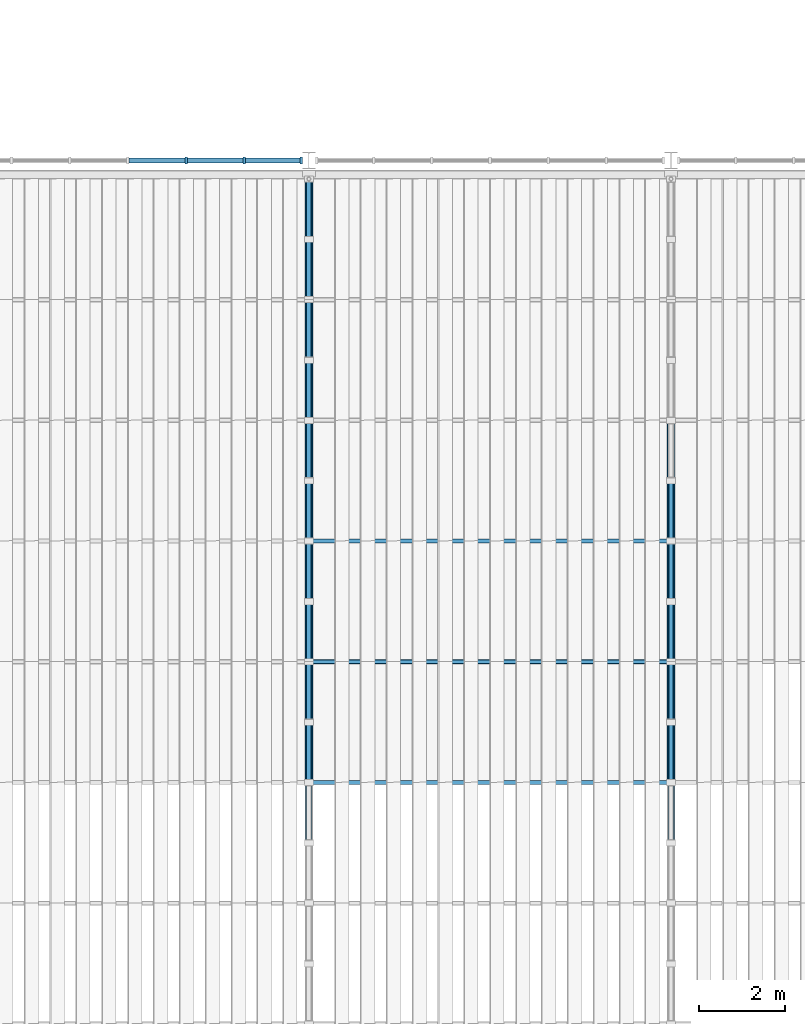
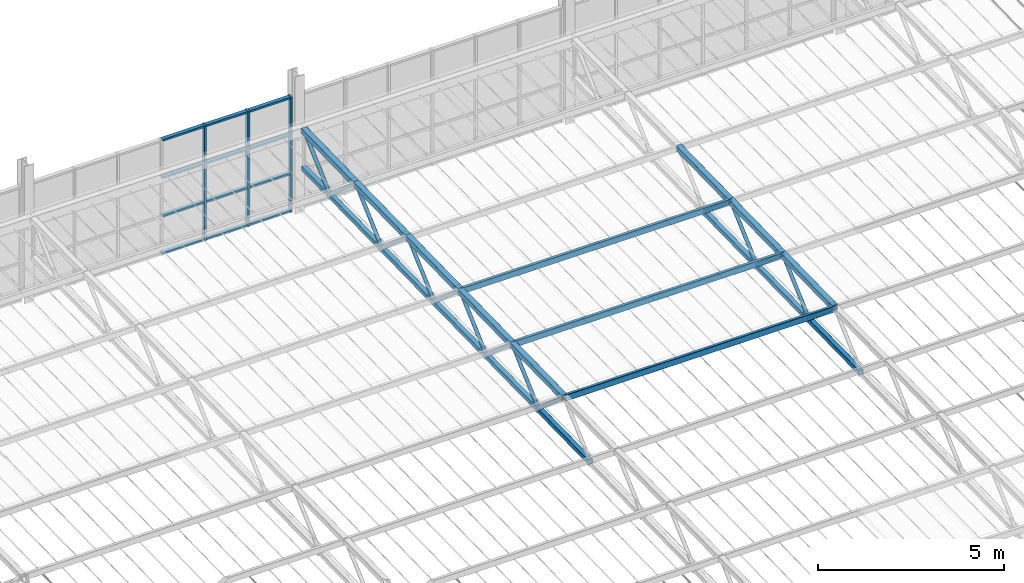
# One storey, part 30 of 129: 50 members, 1 element without a shape of its own.
"""IFC4 building model written with IfcOpenShell, lengths in metres."""

from ifc_helpers import new_model, si_unit, direction, frame, origin, origin_2d, place, context, subcontext, project, spatial, rectangle, hollow_rectangle, hollow_circle, extrude, material, layer, layer_set, material_profile, profile_set, type_object, element, aggregate, save


model = new_model("IFC4")

# Units and contexts
model_context = context("Model", 3, precision=1e-05, world=origin(), true_north=direction((0.0, 1.0)))
body_context = subcontext(model_context, "Body", "Model", "MODEL_VIEW")
ifc_project = project(units=[si_unit("LENGTHUNIT", "METRE"), si_unit("AREAUNIT", "SQUARE_METRE"), si_unit("VOLUMEUNIT", "CUBIC_METRE"), si_unit("PLANEANGLEUNIT", "RADIAN"), si_unit("MASSUNIT", "GRAM", prefix="KILO")], contexts=[model_context])

# Site, building, storey
site_placement = place(None, origin())
site = spatial("IfcSite", under=ifc_project, at=site_placement, CompositionType="ELEMENT")
building_placement = place(site_placement, origin())
building = spatial("IfcBuilding", under=site, at=building_placement, Name="Ardhachandra Cancer Care Centre", CompositionType="ELEMENT")
storey_placement = place(building_placement, frame((0.0, 0.0, 4.5)))
storey = spatial("IfcBuildingStorey", under=building, at=storey_placement, Name="L01", CompositionType="ELEMENT", Elevation=4.5)

# Members
ifc_material_1 = material(Name="Steel E350 (IS 2062)", Category="steel")
ifc_material_profile_1 = material_profile(ifc_material_1, hollow_rectangle(XDim=0.10009765625, YDim=0.199951171875, WallThickness=0.006103515625, InnerFilletRadius=0.006103515625, OuterFilletRadius=0.011962890625, at=origin_2d()), Name="RHS 200x100x6.0")
ifc_profile_set_1 = profile_set([ifc_material_profile_1], Name="Steel E350 (IS 2062)")
member_type_1 = type_object("IfcMemberType", Name="Canopy purlin RHS 200x100x6.0", PredefinedType="PURLIN", material=ifc_profile_set_1)
for number, where, z_axis, x_axis, name in (
    (1, (78.0, 45.77490234375, 2.675537109375), (1.0, 0.0, 0.0), (0.0, 1.0, 0.0), "Canopy purlin 3-5"),
    (2, (78.0, 42.97509765625, 2.619384765625), (1.0, 0.0, 0.0), (0.0, 1.0, 0.0), "Canopy purlin 4-5"),
    (3, (78.0, 40.175048828125, 2.5634765625), (1.0, 0.0, 0.0), (0.0, 1.0, 0.0), "Canopy purlin 5-5"),
):
    element("IfcMember", number, at=place(storey_placement, frame(where, z_axis=z_axis, x_axis=x_axis)), inside=storey, type_object=member_type_1, Name=name, PredefinedType="PURLIN", context=body_context, shape_type="SweptSolid", body=[
        extrude(hollow_rectangle(XDim=0.10009765625, YDim=0.199951171875, WallThickness=0.006103515625, InnerFilletRadius=0.006103515625, OuterFilletRadius=0.011962890625, at=origin_2d()), origin(), (0.0, 0.0, 1.0), 8.39990234375),
    ])
ifc_material_2 = material(Name="Steel E350 (IS 2062)", Category="steel")
ifc_material_profile_2 = material_profile(ifc_material_2, hollow_rectangle(XDim=0.14990234375, YDim=0.14990234375, WallThickness=0.006103515625, InnerFilletRadius=0.006103515625, OuterFilletRadius=0.011962890625, at=origin_2d()), Name="SHS 150x150x6.0")
ifc_profile_set_2 = profile_set([ifc_material_profile_2], Name="Steel E350 (IS 2062)")
member_type_2 = type_object("IfcMemberType", Name="Canopy truss bottom chord SHS 150x150x6.0", PredefinedType="CHORD", material=ifc_profile_set_2)
member_1_placement = place(storey_placement, frame((78.0, 54.175048828125, 1.618408203125), z_axis=(0.0, -0.999802492231, -0.019874016411), x_axis=(1.0, 0.0, 0.0)))
element("IfcMember", 4, at=member_1_placement, inside=storey, type_object=member_type_2, Name="Canopy truss 5 bottom chord BC12", PredefinedType="CHORD", context=body_context, shape_type="SweptSolid", body=[
    extrude(hollow_rectangle(XDim=0.14990234375, YDim=0.14990234375, WallThickness=0.006103515625, InnerFilletRadius=0.006103515625, OuterFilletRadius=0.011962890625, at=origin_2d()), origin(), (0.0, 0.0, 1.0), 1.400390625),
])
member_2_placement = place(storey_placement, frame((78.0, 52.77490234375, 1.590576171875), z_axis=(0.0, -0.999798942946, -0.020051775103), x_axis=(1.0, 0.0, 0.0)))
element("IfcMember", 5, at=member_2_placement, inside=storey, type_object=member_type_2, Name="Canopy truss 5 bottom chord BC13", PredefinedType="CHORD", context=body_context, shape_type="SweptSolid", body=[
    extrude(hollow_rectangle(XDim=0.14990234375, YDim=0.14990234375, WallThickness=0.006103515625, InnerFilletRadius=0.006103515625, OuterFilletRadius=0.011962890625, at=origin_2d()), origin(), (0.0, 0.0, 1.0), 2.80029296875),
])
for number, where, z_axis, x_axis, name in (
    (6, (78.0, 49.97509765625, 1.534423828125), (0.0, -0.999800721691, -0.019962888244), (1.0, 0.0, 0.0), "Canopy truss 5 bottom chord BC14"),
    (7, (78.0, 47.175048828125, 1.478515625), (0.0, -0.999800721691, -0.019962888244), (1.0, 0.0, 0.0), "Canopy truss 5 bottom chord BC15"),
    (8, (78.0, 44.375, 1.422607421875), (0.0, -0.999798977995, -0.02005002746), (1.0, 0.0, 0.0), "Canopy truss 5 bottom chord BC16"),
    (9, (78.0, 41.574951171875, 1.366455078125), (0.0, -0.999800721691, -0.019962888244), (1.0, 0.0, 0.0), "Canopy truss 5 bottom chord BC17"),
    (10, (86.39990234375, 47.175048828125, 1.478515625), (0.0, -0.999800721691, -0.019962888244), (1.0, 0.0, 0.0), "Canopy truss 6 bottom chord BC15"),
    (11, (86.39990234375, 44.375, 1.422607421875), (0.0, -0.999798977995, -0.02005002746), (1.0, 0.0, 0.0), "Canopy truss 6 bottom chord BC16"),
    (12, (86.39990234375, 41.574951171875, 1.366455078125), (0.0, -0.999800721691, -0.019962888244), (1.0, 0.0, 0.0), "Canopy truss 6 bottom chord BC17"),
):
    element("IfcMember", number, at=place(storey_placement, frame(where, z_axis=z_axis, x_axis=x_axis)), inside=storey, type_object=member_type_2, Name=name, PredefinedType="CHORD", context=body_context, shape_type="SweptSolid", body=[
        extrude(hollow_rectangle(XDim=0.14990234375, YDim=0.14990234375, WallThickness=0.006103515625, InnerFilletRadius=0.006103515625, OuterFilletRadius=0.011962890625, at=origin_2d()), origin(), (0.0, 0.0, 1.0), 2.800537109375),
    ])
ifc_material_3 = material(Name="Steel E350 (IS 2062)", Category="steel")
ifc_material_profile_3 = material_profile(ifc_material_3, hollow_circle(Radius=0.05712890625, WallThickness=0.0048828125, at=origin_2d()), Name="CHS 114.3x5.0")
ifc_profile_set_3 = profile_set([ifc_material_profile_3], Name="Steel E350 (IS 2062)")
member_type_3 = type_object("IfcMemberType", Name="Canopy truss diagonal CHS 114.3x5.0", PredefinedType="BRACE", material=ifc_profile_set_3)
member_3_placement = place(storey_placement, frame((78.0, 54.175048828125, 2.853515625), z_axis=(0.0, -0.742553308775, -0.669786968839), x_axis=(1.0, 0.0, 0.0)))
element("IfcMember", 13, at=member_3_placement, inside=storey, type_object=member_type_3, Name="Canopy truss 5 web diagonal WD24", PredefinedType="BRACE", context=body_context, shape_type="SweptSolid", body=[
    extrude(hollow_circle(Radius=0.05712890625, WallThickness=0.0048828125, at=origin_2d()), origin(), (0.0, 0.0, 1.0), 1.885498046875),
])
member_4_placement = place(storey_placement, frame((78.0, 52.77490234375, 1.590576171875), z_axis=(0.0, -0.757351396119, 0.653007551868), x_axis=(1.0, 0.0, 0.0)))
element("IfcMember", 14, at=member_4_placement, inside=storey, type_object=member_type_3, Name="Canopy truss 5 web diagonal WD25", PredefinedType="BRACE", context=body_context, shape_type="SweptSolid", body=[
    extrude(hollow_circle(Radius=0.05712890625, WallThickness=0.0048828125, at=origin_2d()), origin(), (0.0, 0.0, 1.0), 1.848388671875),
])
member_5_placement = place(storey_placement, frame((78.0, 51.375, 2.797607421875), z_axis=(0.0, -0.742430813776, -0.669922746857), x_axis=(1.0, 0.0, 0.0)))
element("IfcMember", 15, at=member_5_placement, inside=storey, type_object=member_type_3, Name="Canopy truss 5 web diagonal WD26", PredefinedType="BRACE", context=body_context, shape_type="SweptSolid", body=[
    extrude(hollow_circle(Radius=0.05712890625, WallThickness=0.0048828125, at=origin_2d()), origin(), (0.0, 0.0, 1.0), 1.885498046875),
])
member_6_placement = place(storey_placement, frame((78.0, 49.97509765625, 1.534423828125), z_axis=(0.0, -0.75740770942, 0.65294223459), x_axis=(1.0, 0.0, 0.0)))
element("IfcMember", 16, at=member_6_placement, inside=storey, type_object=member_type_3, Name="Canopy truss 5 web diagonal WD27", PredefinedType="BRACE", context=body_context, shape_type="SweptSolid", body=[
    extrude(hollow_circle(Radius=0.05712890625, WallThickness=0.0048828125, at=origin_2d()), origin(), (0.0, 0.0, 1.0), 1.8486328125),
])
member_7_placement = place(storey_placement, frame((78.0, 48.574951171875, 2.741455078125), z_axis=(0.0, -0.742495214915, -0.669851368461), x_axis=(1.0, 0.0, 0.0)))
element("IfcMember", 17, at=member_7_placement, inside=storey, type_object=member_type_3, Name="Canopy truss 5 web diagonal WD28", PredefinedType="BRACE", context=body_context, shape_type="SweptSolid", body=[
    extrude(hollow_circle(Radius=0.05712890625, WallThickness=0.0048828125, at=origin_2d()), origin(), (0.0, 0.0, 1.0), 1.885498046875),
])
member_8_placement = place(storey_placement, frame((78.0, 47.175048828125, 1.478515625), z_axis=(0.0, -0.75740770942, 0.65294223459), x_axis=(1.0, 0.0, 0.0)))
element("IfcMember", 18, at=member_8_placement, inside=storey, type_object=member_type_3, Name="Canopy truss 5 web diagonal WD29", PredefinedType="BRACE", context=body_context, shape_type="SweptSolid", body=[
    extrude(hollow_circle(Radius=0.05712890625, WallThickness=0.0048828125, at=origin_2d()), origin(), (0.0, 0.0, 1.0), 1.8486328125),
])
member_9_placement = place(storey_placement, frame((78.0, 45.77490234375, 2.685546875), z_axis=(0.0, -0.742495214915, -0.669851368461), x_axis=(1.0, 0.0, 0.0)))
element("IfcMember", 19, at=member_9_placement, inside=storey, type_object=member_type_3, Name="Canopy truss 5 web diagonal WD30", PredefinedType="BRACE", context=body_context, shape_type="SweptSolid", body=[
    extrude(hollow_circle(Radius=0.05712890625, WallThickness=0.0048828125, at=origin_2d()), origin(), (0.0, 0.0, 1.0), 1.885498046875),
])
member_10_placement = place(storey_placement, frame((78.0, 44.375, 1.422607421875), z_axis=(0.0, -0.757416719347, 0.652931783002), x_axis=(1.0, 0.0, 0.0)))
element("IfcMember", 20, at=member_10_placement, inside=storey, type_object=member_type_3, Name="Canopy truss 5 web diagonal WD31", PredefinedType="BRACE", context=body_context, shape_type="SweptSolid", body=[
    extrude(hollow_circle(Radius=0.05712890625, WallThickness=0.0048828125, at=origin_2d()), origin(), (0.0, 0.0, 1.0), 1.84814453125),
])
member_11_placement = place(storey_placement, frame((78.0, 42.97509765625, 2.62939453125), z_axis=(0.0, -0.742553308775, -0.669786968839), x_axis=(1.0, 0.0, 0.0)))
element("IfcMember", 21, at=member_11_placement, inside=storey, type_object=member_type_3, Name="Canopy truss 5 web diagonal WD32", PredefinedType="BRACE", context=body_context, shape_type="SweptSolid", body=[
    extrude(hollow_circle(Radius=0.05712890625, WallThickness=0.0048828125, at=origin_2d()), origin(), (0.0, 0.0, 1.0), 1.885498046875),
])
member_12_placement = place(storey_placement, frame((78.0, 41.574951171875, 1.366455078125), z_axis=(0.0, -0.757351396119, 0.653007551868), x_axis=(1.0, 0.0, 0.0)))
element("IfcMember", 22, at=member_12_placement, inside=storey, type_object=member_type_3, Name="Canopy truss 5 web diagonal WD33", PredefinedType="BRACE", context=body_context, shape_type="SweptSolid", body=[
    extrude(hollow_circle(Radius=0.05712890625, WallThickness=0.0048828125, at=origin_2d()), origin(), (0.0, 0.0, 1.0), 1.848388671875),
])
member_13_placement = place(storey_placement, frame((86.39990234375, 47.175048828125, 1.478515625), z_axis=(0.0, -0.75740770942, 0.65294223459), x_axis=(1.0, 0.0, 0.0)))
element("IfcMember", 23, at=member_13_placement, inside=storey, type_object=member_type_3, Name="Canopy truss 6 web diagonal WD28", PredefinedType="BRACE", context=body_context, shape_type="SweptSolid", body=[
    extrude(hollow_circle(Radius=0.05712890625, WallThickness=0.0048828125, at=origin_2d()), origin(), (0.0, 0.0, 1.0), 1.8486328125),
])
member_14_placement = place(storey_placement, frame((86.39990234375, 45.77490234375, 2.685546875), z_axis=(0.0, -0.742495214915, -0.669851368461), x_axis=(1.0, 0.0, 0.0)))
element("IfcMember", 24, at=member_14_placement, inside=storey, type_object=member_type_3, Name="Canopy truss 6 web diagonal WD29", PredefinedType="BRACE", context=body_context, shape_type="SweptSolid", body=[
    extrude(hollow_circle(Radius=0.05712890625, WallThickness=0.0048828125, at=origin_2d()), origin(), (0.0, 0.0, 1.0), 1.885498046875),
])
member_15_placement = place(storey_placement, frame((86.39990234375, 44.375, 1.422607421875), z_axis=(0.0, -0.757416719347, 0.652931783002), x_axis=(1.0, 0.0, 0.0)))
element("IfcMember", 25, at=member_15_placement, inside=storey, type_object=member_type_3, Name="Canopy truss 6 web diagonal WD30", PredefinedType="BRACE", context=body_context, shape_type="SweptSolid", body=[
    extrude(hollow_circle(Radius=0.05712890625, WallThickness=0.0048828125, at=origin_2d()), origin(), (0.0, 0.0, 1.0), 1.84814453125),
])
member_16_placement = place(storey_placement, frame((86.39990234375, 42.97509765625, 2.62939453125), z_axis=(0.0, -0.742553308775, -0.669786968839), x_axis=(1.0, 0.0, 0.0)))
element("IfcMember", 26, at=member_16_placement, inside=storey, type_object=member_type_3, Name="Canopy truss 6 web diagonal WD31", PredefinedType="BRACE", context=body_context, shape_type="SweptSolid", body=[
    extrude(hollow_circle(Radius=0.05712890625, WallThickness=0.0048828125, at=origin_2d()), origin(), (0.0, 0.0, 1.0), 1.885498046875),
])
member_17_placement = place(storey_placement, frame((86.39990234375, 41.574951171875, 1.366455078125), z_axis=(0.0, -0.757351396119, 0.653007551868), x_axis=(1.0, 0.0, 0.0)))
element("IfcMember", 27, at=member_17_placement, inside=storey, type_object=member_type_3, Name="Canopy truss 6 web diagonal WD32", PredefinedType="BRACE", context=body_context, shape_type="SweptSolid", body=[
    extrude(hollow_circle(Radius=0.05712890625, WallThickness=0.0048828125, at=origin_2d()), origin(), (0.0, 0.0, 1.0), 1.848388671875),
])
ifc_material_4 = material(Name="Steel E350 (IS 2062)", Category="steel")
ifc_material_profile_4 = material_profile(ifc_material_4, hollow_rectangle(XDim=0.179931640625, YDim=0.179931640625, WallThickness=0.008056640625, InnerFilletRadius=0.008056640625, OuterFilletRadius=0.01611328125, at=origin_2d()), Name="SHS 180x180x8.0")
ifc_profile_set_4 = profile_set([ifc_material_profile_4], Name="Steel E350 (IS 2062)")
member_type_4 = type_object("IfcMemberType", Name="Canopy truss top chord SHS 180x180x8.0", PredefinedType="CHORD", material=ifc_profile_set_4)
for number, where, z_axis, x_axis, name in (
    (28, (78.0, 54.175048828125, 2.853515625), (0.0, -0.999800721691, -0.019962888244), (1.0, 0.0, 0.0), "Canopy truss 5 top chord TC1"),
    (29, (78.0, 51.375, 2.797607421875), (0.0, -0.999798977995, -0.02005002746), (1.0, 0.0, 0.0), "Canopy truss 5 top chord TC2"),
    (30, (78.0, 48.574951171875, 2.741455078125), (0.0, -0.999800721691, -0.019962888244), (1.0, 0.0, 0.0), "Canopy truss 5 top chord TC3"),
):
    element("IfcMember", number, at=place(storey_placement, frame(where, z_axis=z_axis, x_axis=x_axis)), inside=storey, type_object=member_type_4, Name=name, PredefinedType="CHORD", context=body_context, shape_type="SweptSolid", body=[
        extrude(hollow_rectangle(XDim=0.179931640625, YDim=0.179931640625, WallThickness=0.008056640625, InnerFilletRadius=0.008056640625, OuterFilletRadius=0.01611328125, at=origin_2d()), origin(), (0.0, 0.0, 1.0), 2.800537109375),
    ])
member_18_placement = place(storey_placement, frame((78.0, 45.77490234375, 2.685546875), z_axis=(0.0, -0.999798942946, -0.020051775103), x_axis=(1.0, 0.0, 0.0)))
element("IfcMember", 31, at=member_18_placement, inside=storey, type_object=member_type_4, Name="Canopy truss 5 top chord TC4", PredefinedType="CHORD", context=body_context, shape_type="SweptSolid", body=[
    extrude(hollow_rectangle(XDim=0.179931640625, YDim=0.179931640625, WallThickness=0.008056640625, InnerFilletRadius=0.008056640625, OuterFilletRadius=0.01611328125, at=origin_2d()), origin(), (0.0, 0.0, 1.0), 2.80029296875),
])
for number, where, z_axis, x_axis, name in (
    (32, (78.0, 42.97509765625, 2.62939453125), (0.0, -0.999800721691, -0.019962888244), (1.0, 0.0, 0.0), "Canopy truss 5 top chord TC5"),
    (33, (86.39990234375, 48.574951171875, 2.741455078125), (0.0, -0.999800721691, -0.019962888244), (1.0, 0.0, 0.0), "Canopy truss 6 top chord TC3"),
):
    element("IfcMember", number, at=place(storey_placement, frame(where, z_axis=z_axis, x_axis=x_axis)), inside=storey, type_object=member_type_4, Name=name, PredefinedType="CHORD", context=body_context, shape_type="SweptSolid", body=[
        extrude(hollow_rectangle(XDim=0.179931640625, YDim=0.179931640625, WallThickness=0.008056640625, InnerFilletRadius=0.008056640625, OuterFilletRadius=0.01611328125, at=origin_2d()), origin(), (0.0, 0.0, 1.0), 2.800537109375),
    ])
member_19_placement = place(storey_placement, frame((86.39990234375, 45.77490234375, 2.685546875), z_axis=(0.0, -0.999798942946, -0.020051775103), x_axis=(1.0, 0.0, 0.0)))
element("IfcMember", 34, at=member_19_placement, inside=storey, type_object=member_type_4, Name="Canopy truss 6 top chord TC4", PredefinedType="CHORD", context=body_context, shape_type="SweptSolid", body=[
    extrude(hollow_rectangle(XDim=0.179931640625, YDim=0.179931640625, WallThickness=0.008056640625, InnerFilletRadius=0.008056640625, OuterFilletRadius=0.01611328125, at=origin_2d()), origin(), (0.0, 0.0, 1.0), 2.80029296875),
])
member_20_placement = place(storey_placement, frame((86.39990234375, 42.97509765625, 2.62939453125), z_axis=(0.0, -0.999800721691, -0.019962888244), x_axis=(1.0, 0.0, 0.0)))
element("IfcMember", 35, at=member_20_placement, inside=storey, type_object=member_type_4, Name="Canopy truss 6 top chord TC5", PredefinedType="CHORD", context=body_context, shape_type="SweptSolid", body=[
    extrude(hollow_rectangle(XDim=0.179931640625, YDim=0.179931640625, WallThickness=0.008056640625, InnerFilletRadius=0.008056640625, OuterFilletRadius=0.01611328125, at=origin_2d()), origin(), (0.0, 0.0, 1.0), 2.800537109375),
])

# Curtain wall, members
ifc_material_5 = material(Name="Aluminium extrusion", Category="aluminium")
ifc_layer = layer(ifc_material_5, 0.14990234375)
ifc_layer_set = layer_set([ifc_layer], Name="Aluminium extrusion")
curtain_wall_type = type_object("IfcCurtainWallType", Name="Curtain wall run", PredefinedType="NOTDEFINED", material=ifc_layer_set)
curtain_wall_placement = place(storey_placement, origin())
curtain_wall = element("IfcCurtainWall", 36, at=curtain_wall_placement, inside=storey, type_object=curtain_wall_type, Name="Curtain wall L01 s/0069600_0054600", PredefinedType="NOTDEFINED")
ifc_material_6 = material(Name="Aluminium extrusion", Category="aluminium")
ifc_material_profile_5 = material_profile(ifc_material_6, rectangle(XDim=0.159912109375, YDim=0.06005859375, at=origin_2d()), Name="Curtain wall mullion 60 x 160")
ifc_profile_set_5 = profile_set([ifc_material_profile_5], Name="Aluminium extrusion")
member_type_5 = type_object("IfcMemberType", Name="Curtain wall mullion 60 x 160", PredefinedType="MULLION", material=ifc_profile_set_5)
member_21_placement = place(storey_placement, frame((75.14990234375, 54.60009765625, 0.0), z_axis=(0.0, 0.0, 1.0), x_axis=(0.0, 1.0, 0.0)))
member_21 = element("IfcMember", 37, at=member_21_placement, type_object=member_type_5, Name="CW mullion 5", PredefinedType="MULLION", context=body_context, shape_type="SweptSolid", body=[
    extrude(rectangle(XDim=0.159912109375, YDim=0.06005859375, at=origin_2d()), origin(), (0.0, 0.0, 1.0), 3.780517578125),
])
member_22_placement = place(storey_placement, frame((76.5, 54.60009765625, 0.0), z_axis=(0.0, 0.0, 1.0), x_axis=(0.0, 1.0, 0.0)))
member_22 = element("IfcMember", 38, at=member_22_placement, type_object=member_type_5, Name="CW mullion 6", PredefinedType="MULLION", context=body_context, shape_type="SweptSolid", body=[
    extrude(rectangle(XDim=0.159912109375, YDim=0.06005859375, at=origin_2d()), origin(), (0.0, 0.0, 1.0), 3.780517578125),
])
member_23_placement = place(storey_placement, frame((77.820068359375, 54.60009765625, 0.0), z_axis=(0.0, 0.0, 1.0), x_axis=(0.0, 1.0, 0.0)))
member_23 = element("IfcMember", 39, at=member_23_placement, type_object=member_type_5, Name="CW mullion 7", PredefinedType="MULLION", context=body_context, shape_type="SweptSolid", body=[
    extrude(rectangle(XDim=0.159912109375, YDim=0.06005859375, at=origin_2d()), origin(), (0.0, 0.0, 1.0), 3.780517578125),
])
ifc_material_7 = material(Name="Aluminium extrusion", Category="aluminium")
ifc_material_profile_6 = material_profile(ifc_material_7, rectangle(XDim=0.1201171875, YDim=0.06005859375, at=origin_2d()), Name="Curtain wall transom 60 x 120")
ifc_profile_set_6 = profile_set([ifc_material_profile_6], Name="Aluminium extrusion")
member_type_6 = type_object("IfcMemberType", Name="Curtain wall transom 60 x 120", PredefinedType="USERDEFINED", material=ifc_profile_set_6)
member_24_placement = place(storey_placement, frame((73.830078125, 54.60009765625, 0.030029296875), z_axis=(1.0, 0.0, 0.0), x_axis=(0.0, 1.0, 0.0)))
member_24 = element("IfcMember", 40, at=member_24_placement, type_object=member_type_6, Name="CW transom 4.1", ObjectType="TRANSOM", PredefinedType="USERDEFINED", context=body_context, shape_type="SweptSolid", body=[
    extrude(rectangle(XDim=0.1201171875, YDim=0.06005859375, at=origin_2d()), origin(), (0.0, 0.0, 1.0), 1.2900390625),
])
member_25_placement = place(storey_placement, frame((73.830078125, 54.60009765625, 1.26025390625), z_axis=(1.0, 0.0, 0.0), x_axis=(0.0, 1.0, 0.0)))
member_25 = element("IfcMember", 41, at=member_25_placement, type_object=member_type_6, Name="CW transom 4.2", ObjectType="TRANSOM", PredefinedType="USERDEFINED", context=body_context, shape_type="SweptSolid", body=[
    extrude(rectangle(XDim=0.1201171875, YDim=0.06005859375, at=origin_2d()), origin(), (0.0, 0.0, 1.0), 1.2900390625),
])
member_26_placement = place(storey_placement, frame((73.830078125, 54.60009765625, 2.520263671875), z_axis=(1.0, 0.0, 0.0), x_axis=(0.0, 1.0, 0.0)))
member_26 = element("IfcMember", 42, at=member_26_placement, type_object=member_type_6, Name="CW transom 4.3", ObjectType="TRANSOM", PredefinedType="USERDEFINED", context=body_context, shape_type="SweptSolid", body=[
    extrude(rectangle(XDim=0.1201171875, YDim=0.06005859375, at=origin_2d()), origin(), (0.0, 0.0, 1.0), 1.2900390625),
])
member_27_placement = place(storey_placement, frame((73.830078125, 54.60009765625, 3.75048828125), z_axis=(1.0, 0.0, 0.0), x_axis=(0.0, 1.0, 0.0)))
member_27 = element("IfcMember", 43, at=member_27_placement, type_object=member_type_6, Name="CW transom 4.4", ObjectType="TRANSOM", PredefinedType="USERDEFINED", context=body_context, shape_type="SweptSolid", body=[
    extrude(rectangle(XDim=0.1201171875, YDim=0.06005859375, at=origin_2d()), origin(), (0.0, 0.0, 1.0), 1.2900390625),
])
member_28_placement = place(storey_placement, frame((75.179931640625, 54.60009765625, 0.030029296875), z_axis=(1.0, 0.0, 0.0), x_axis=(0.0, 1.0, 0.0)))
member_28 = element("IfcMember", 44, at=member_28_placement, type_object=member_type_6, Name="CW transom 5.1", ObjectType="TRANSOM", PredefinedType="USERDEFINED", context=body_context, shape_type="SweptSolid", body=[
    extrude(rectangle(XDim=0.1201171875, YDim=0.06005859375, at=origin_2d()), origin(), (0.0, 0.0, 1.0), 1.2900390625),
])
member_29_placement = place(storey_placement, frame((75.179931640625, 54.60009765625, 1.26025390625), z_axis=(1.0, 0.0, 0.0), x_axis=(0.0, 1.0, 0.0)))
member_29 = element("IfcMember", 45, at=member_29_placement, type_object=member_type_6, Name="CW transom 5.2", ObjectType="TRANSOM", PredefinedType="USERDEFINED", context=body_context, shape_type="SweptSolid", body=[
    extrude(rectangle(XDim=0.1201171875, YDim=0.06005859375, at=origin_2d()), origin(), (0.0, 0.0, 1.0), 1.2900390625),
])
member_30_placement = place(storey_placement, frame((75.179931640625, 54.60009765625, 2.520263671875), z_axis=(1.0, 0.0, 0.0), x_axis=(0.0, 1.0, 0.0)))
member_30 = element("IfcMember", 46, at=member_30_placement, type_object=member_type_6, Name="CW transom 5.3", ObjectType="TRANSOM", PredefinedType="USERDEFINED", context=body_context, shape_type="SweptSolid", body=[
    extrude(rectangle(XDim=0.1201171875, YDim=0.06005859375, at=origin_2d()), origin(), (0.0, 0.0, 1.0), 1.2900390625),
])
member_31_placement = place(storey_placement, frame((75.179931640625, 54.60009765625, 3.75048828125), z_axis=(1.0, 0.0, 0.0), x_axis=(0.0, 1.0, 0.0)))
member_31 = element("IfcMember", 47, at=member_31_placement, type_object=member_type_6, Name="CW transom 5.4", ObjectType="TRANSOM", PredefinedType="USERDEFINED", context=body_context, shape_type="SweptSolid", body=[
    extrude(rectangle(XDim=0.1201171875, YDim=0.06005859375, at=origin_2d()), origin(), (0.0, 0.0, 1.0), 1.2900390625),
])
member_32_placement = place(storey_placement, frame((76.530029296875, 54.60009765625, 0.030029296875), z_axis=(1.0, 0.0, 0.0), x_axis=(0.0, 1.0, 0.0)))
member_32 = element("IfcMember", 48, at=member_32_placement, type_object=member_type_6, Name="CW transom 6.1", ObjectType="TRANSOM", PredefinedType="USERDEFINED", context=body_context, shape_type="SweptSolid", body=[
    extrude(rectangle(XDim=0.1201171875, YDim=0.06005859375, at=origin_2d()), origin(), (0.0, 0.0, 1.0), 1.260009765625),
])
member_33_placement = place(storey_placement, frame((76.530029296875, 54.60009765625, 1.26025390625), z_axis=(1.0, 0.0, 0.0), x_axis=(0.0, 1.0, 0.0)))
member_33 = element("IfcMember", 49, at=member_33_placement, type_object=member_type_6, Name="CW transom 6.2", ObjectType="TRANSOM", PredefinedType="USERDEFINED", context=body_context, shape_type="SweptSolid", body=[
    extrude(rectangle(XDim=0.1201171875, YDim=0.06005859375, at=origin_2d()), origin(), (0.0, 0.0, 1.0), 1.260009765625),
])
member_34_placement = place(storey_placement, frame((76.530029296875, 54.60009765625, 2.520263671875), z_axis=(1.0, 0.0, 0.0), x_axis=(0.0, 1.0, 0.0)))
member_34 = element("IfcMember", 50, at=member_34_placement, type_object=member_type_6, Name="CW transom 6.3", ObjectType="TRANSOM", PredefinedType="USERDEFINED", context=body_context, shape_type="SweptSolid", body=[
    extrude(rectangle(XDim=0.1201171875, YDim=0.06005859375, at=origin_2d()), origin(), (0.0, 0.0, 1.0), 1.260009765625),
])
member_35_placement = place(storey_placement, frame((76.530029296875, 54.60009765625, 3.75048828125), z_axis=(1.0, 0.0, 0.0), x_axis=(0.0, 1.0, 0.0)))
member_35 = element("IfcMember", 51, at=member_35_placement, type_object=member_type_6, Name="CW transom 6.4", ObjectType="TRANSOM", PredefinedType="USERDEFINED", context=body_context, shape_type="SweptSolid", body=[
    extrude(rectangle(XDim=0.1201171875, YDim=0.06005859375, at=origin_2d()), origin(), (0.0, 0.0, 1.0), 1.260009765625),
])
aggregate(curtain_wall, [member_21, member_22, member_23, member_24, member_25, member_26, member_27, member_28, member_29, member_30, member_31, member_32, member_33, member_34, member_35])

save(model, "model.ifc")
